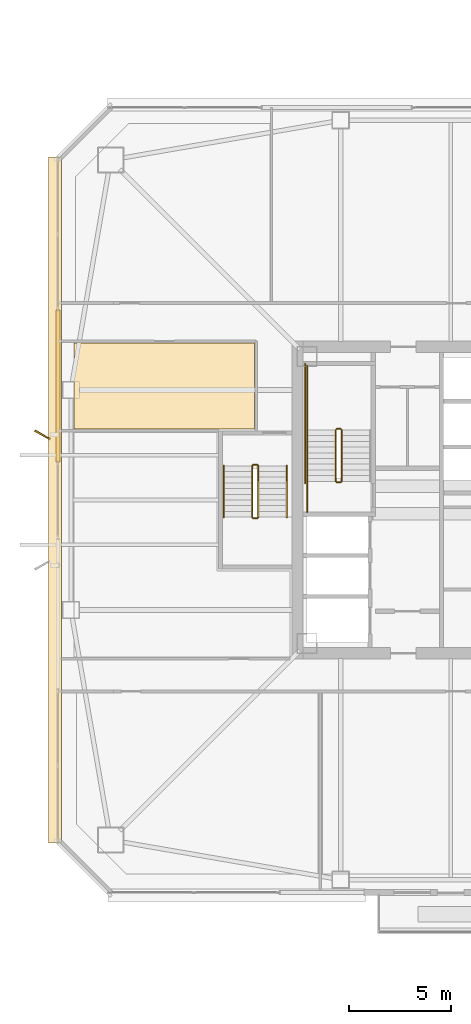
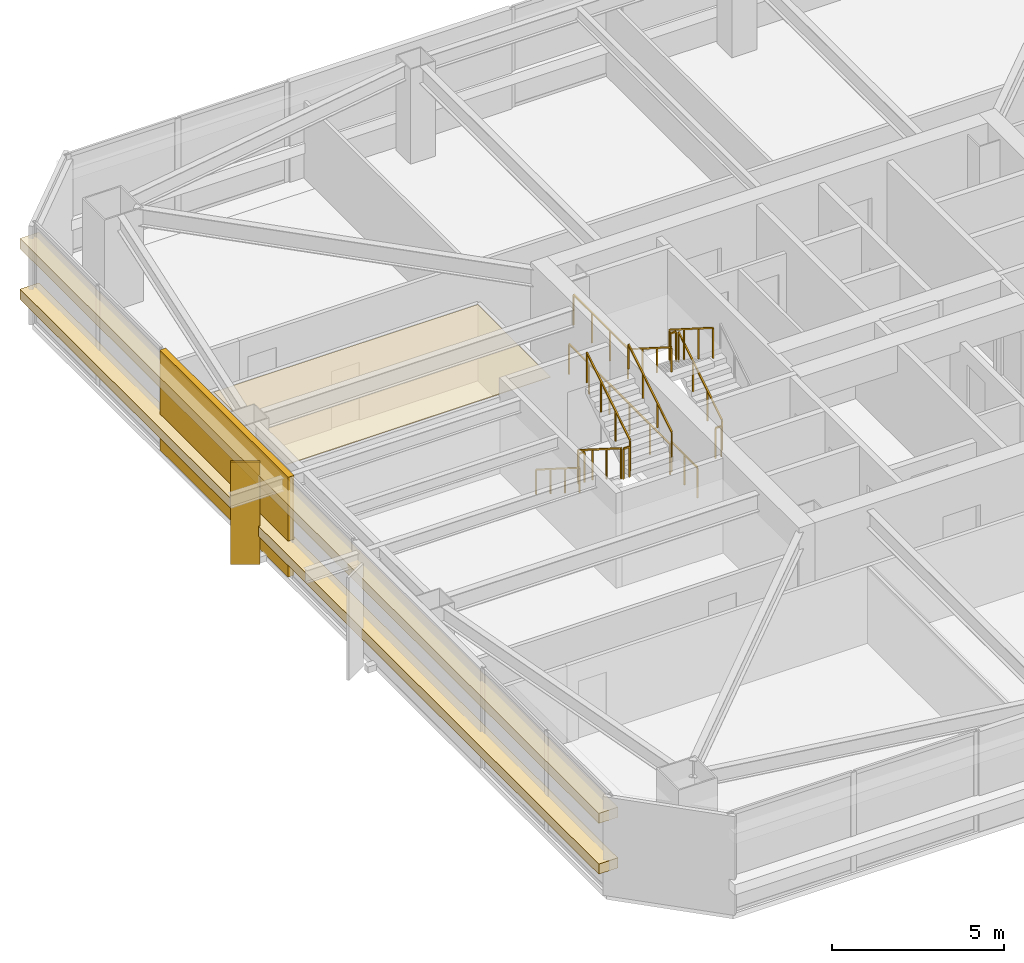
# One storey, part 43 of 48: 14 railings, 4 coverings, 1 shading device.
"""IFC4 building model written with IfcOpenShell, lengths in metres."""

from ifc_helpers import new_model, si_unit, direction, frame, origin, origin_2d, place, context, subcontext, project, spatial, polyline, rectangle, outline, extrude, material, layer, layer_set, type_object, element, save


model = new_model("IFC4")

# Units and contexts
model_context = context("Model", 3, precision=1e-05, world=origin(), true_north=direction((0.0, 1.0)))
body_context = subcontext(model_context, "Body", "Model", "MODEL_VIEW")
ifc_project = project(units=[si_unit("LENGTHUNIT", "METRE"), si_unit("AREAUNIT", "SQUARE_METRE"), si_unit("VOLUMEUNIT", "CUBIC_METRE"), si_unit("PLANEANGLEUNIT", "RADIAN"), si_unit("MASSUNIT", "GRAM", prefix="KILO")], contexts=[model_context])

# Site, building, storey
site_placement = place(None, origin())
site = spatial("IfcSite", under=ifc_project, at=site_placement, CompositionType="ELEMENT")
building_placement = place(site_placement, origin())
building = spatial("IfcBuilding", under=site, at=building_placement, Name="Tashvorn Skyway Center", CompositionType="ELEMENT")
storey_placement = place(building_placement, frame((0.0, 0.0, 125.050048828125)))
storey = spatial("IfcBuildingStorey", under=building, at=storey_placement, Name="L33", CompositionType="ELEMENT", Elevation=125.050048828125)

# Coverings
ifc_material_1 = material(Name="Precast concrete C40/50", Category="concrete")
ifc_layer_1 = layer(ifc_material_1, 0.199951171875)
ifc_layer_set_1 = layer_set([ifc_layer_1], Name="Precast concrete C40/50")
covering_type_1 = type_object("IfcCoveringType", Name="COV-BRACE-CLAD", PredefinedType="CLADDING", material=ifc_layer_set_1)
covering_1_placement = place(storey_placement, frame((22.719970703125, 37.59326171875, 0.0), z_axis=(0.0, 0.0, 1.0), x_axis=(0.0, 1.0, 0.0)))
element("IfcCovering", 1, at=covering_1_placement, inside=storey, type_object=covering_type_1, Name="Tower 1 L33 West Unitised Curtain Wall Mega-Brace Cladding Band 2", PredefinedType="CLADDING", context=body_context, shape_type="SweptSolid", body=[
    extrude(rectangle(XDim=7.457763671875, YDim=0.199951171875, at=origin_2d()), origin(), (0.0, 0.0, 1.0), 3.550048828125),
])
ifc_material_2 = material(Name="Mineral-fibre acoustic ceiling tile on suspended grid")
ifc_layer_2 = layer(ifc_material_2, 0.02001953125)
ifc_layer_set_2 = layer_set([ifc_layer_2], Name="Mineral-fibre acoustic ceiling tile on suspended grid")
covering_type_2 = type_object("IfcCoveringType", Name="COV-CEIL-20", PredefinedType="CEILING", material=ifc_layer_set_2)
covering_2_placement = place(storey_placement, frame((0.0, 0.0, 2.702880859375)))
element("IfcCovering", 2, at=covering_2_placement, inside=storey, type_object=covering_type_2, Name="Tower 1 L33 Security Control Room Acoustic Ceiling", PredefinedType="CEILING", context=body_context, shape_type="SweptSolid", body=[
    extrude(outline(polyline([(32.3701171875, 39.719970703125), (32.3701171875, 35.47998046875), (23.5, 35.47998046875), (23.5, 39.719970703125), (32.3701171875, 39.719970703125)])), origin(), (0.0, 0.0, 1.0), 0.02001953125),
])
ifc_material_3 = material(Name="Perforated ceramic-coated bronze aluminium solar screen", Category="aluminium")
ifc_layer_3 = layer(ifc_material_3, 0.85009765625)
ifc_layer_set_3 = layer_set([ifc_layer_3], Name="Perforated ceramic-coated bronze aluminium solar screen")
covering_type_3 = type_object("IfcCoveringType", Name="COV-SOLAR-BAND", PredefinedType="CLADDING", material=ifc_layer_set_3)
for number, where, z_axis, x_axis, name in (
    (3, (22.580078125, 32.0, 0.919921875), (0.0, 0.0, 1.0), (0.0, 1.0, 0.0), "L33 Perforated Ceramic-Metal Solar Screen Louvre Band West 1"),
    (4, (22.580078125, 32.0, 2.7197265625), (0.0, 0.0, 1.0), (0.0, 1.0, 0.0), "L33 Perforated Ceramic-Metal Solar Screen Louvre Band West 2"),
):
    element("IfcCovering", number, at=place(storey_placement, frame(where, z_axis=z_axis, x_axis=x_axis)), inside=storey, type_object=covering_type_3, Name=name, PredefinedType="CLADDING", context=body_context, shape_type="SweptSolid", body=[
        extrude(rectangle(XDim=33.679931640625, YDim=0.639892578125, at=origin_2d()), origin(), (0.0, 0.0, 1.0), 0.360107421875),
    ])

# Railings
ifc_material_4 = material(Name="Brushed stainless steel 316", Category="steel")
railing_type_1 = type_object("IfcRailingType", Name="RAIL-HAND-920", PredefinedType="HANDRAIL", material=ifc_material_4)
railing_1_placement = place(storey_placement, frame((34.949951171875, 35.43994140625, 1.952392578125)))
element("IfcRailing", 5, at=railing_1_placement, inside=storey, type_object=railing_type_1, Name="L33 ST-T1-1 stair handrail 2", PredefinedType="HANDRAIL", context=body_context, shape_type="SweptSolid", body=[
    extrude(rectangle(XDim=0.048095703125, YDim=0.048095703125, at=origin_2d()), frame((0.0, 0.0, 0.8759765625), z_axis=(0.0, -0.84456994832, 0.535445237532), x_axis=(1.0, 0.0, 0.0)), (0.0, 0.0, 1.0), 2.98388671875),
    extrude(rectangle(XDim=0.0419921875, YDim=0.0419921875, at=origin_2d()), origin(), (0.0, 0.0, 1.0), 0.851806640625),
    extrude(rectangle(XDim=0.0419921875, YDim=0.0419921875, at=origin_2d()), frame((0.0, -0.840087890625, 0.532470703125)), (0.0, 0.0, 1.0), 0.851806640625),
    extrude(rectangle(XDim=0.0419921875, YDim=0.0419921875, at=origin_2d()), frame((0.0, -1.679931640625, 1.065185546875)), (0.0, 0.0, 1.0), 0.851806640625),
    extrude(rectangle(XDim=0.0419921875, YDim=0.0419921875, at=origin_2d()), frame((0.0, -2.52001953125, 1.59765625)), (0.0, 0.0, 1.0), 0.851806640625),
])
railing_2_placement = place(storey_placement, frame((30.85009765625, 33.679931640625, 0.177490234375)))
element("IfcRailing", 6, at=railing_2_placement, inside=storey, type_object=railing_type_1, Name="L33 ST-T1-3 stair handrail 1", PredefinedType="HANDRAIL", context=body_context, shape_type="SweptSolid", body=[
    extrude(rectangle(XDim=0.048095703125, YDim=0.048095703125, at=origin_2d()), frame((0.0, 0.0, 0.8759765625), z_axis=(0.0, -0.84460694969, 0.535386869969), x_axis=(1.0, 0.0, 0.0)), (0.0, 0.0, 1.0), 2.983642578125),
    extrude(rectangle(XDim=0.0419921875, YDim=0.0419921875, at=origin_2d()), origin(), (0.0, 0.0, 1.0), 0.851806640625),
    extrude(rectangle(XDim=0.0419921875, YDim=0.0419921875, at=origin_2d()), frame((0.0, -0.840087890625, 0.532470703125)), (0.0, 0.0, 1.0), 0.851806640625),
    extrude(rectangle(XDim=0.0419921875, YDim=0.0419921875, at=origin_2d()), frame((0.0, -1.679931640625, 1.06494140625)), (0.0, 0.0, 1.0), 0.851806640625),
    extrude(rectangle(XDim=0.0419921875, YDim=0.0419921875, at=origin_2d()), frame((0.0, -2.52001953125, 1.597412109375)), (0.0, 0.0, 1.0), 0.851806640625),
])
railing_3_placement = place(storey_placement, frame((33.949951171875, 31.159912109375, 1.952392578125)))
element("IfcRailing", 7, at=railing_3_placement, inside=storey, type_object=railing_type_1, Name="L33 ST-T1-3 stair handrail 2", PredefinedType="HANDRAIL", context=body_context, shape_type="SweptSolid", body=[
    extrude(rectangle(XDim=0.048095703125, YDim=0.048095703125, at=origin_2d()), frame((0.0, 0.0, 0.8759765625), z_axis=(0.0, 0.84456994832, 0.535445237532), x_axis=(-1.0, 0.0, 0.0)), (0.0, 0.0, 1.0), 2.98388671875),
    extrude(rectangle(XDim=0.0419921875, YDim=0.0419921875, at=origin_2d()), origin(), (0.0, 0.0, 1.0), 0.851806640625),
    extrude(rectangle(XDim=0.0419921875, YDim=0.0419921875, at=origin_2d()), frame((0.0, 0.840087890625, 0.532470703125)), (0.0, 0.0, 1.0), 0.851806640625),
    extrude(rectangle(XDim=0.0419921875, YDim=0.0419921875, at=origin_2d()), frame((0.0, 1.679931640625, 1.065185546875)), (0.0, 0.0, 1.0), 0.851806640625),
    extrude(rectangle(XDim=0.0419921875, YDim=0.0419921875, at=origin_2d()), frame((0.0, 2.52001953125, 1.59765625)), (0.0, 0.0, 1.0), 0.851806640625),
])
ifc_material_5 = material(Name="Painted galvanized steel S355", Category="steel")
railing_type_2 = type_object("IfcRailingType", Name="RAIL-STGUARD-1100", PredefinedType="GUARDRAIL", material=ifc_material_5)
railing_4_placement = place(storey_placement, frame((36.64990234375, 32.919921875, 0.177490234375)))
element("IfcRailing", 8, at=railing_4_placement, inside=storey, type_object=railing_type_2, Name="L33 ST-T1-1 stair guard 1", PredefinedType="GUARDRAIL", context=body_context, shape_type="SweptSolid", body=[
    extrude(rectangle(XDim=0.048095703125, YDim=0.048095703125, at=origin_2d()), frame((0.0, 0.0, 1.076171875), z_axis=(0.0, 0.84460694969, 0.535386869969), x_axis=(-1.0, 0.0, 0.0)), (0.0, 0.0, 1.0), 2.983642578125),
    extrude(rectangle(XDim=0.0419921875, YDim=0.0419921875, at=origin_2d()), origin(), (0.0, 0.0, 1.0), 1.052001953125),
    extrude(rectangle(XDim=0.0419921875, YDim=0.0419921875, at=origin_2d()), frame((0.0, 0.840087890625, 0.532470703125)), (0.0, 0.0, 1.0), 1.052001953125),
    extrude(rectangle(XDim=0.0419921875, YDim=0.0419921875, at=origin_2d()), frame((0.0, 1.679931640625, 1.06494140625)), (0.0, 0.0, 1.0), 1.052001953125),
    extrude(rectangle(XDim=0.0419921875, YDim=0.0419921875, at=origin_2d()), frame((0.0, 2.52001953125, 1.597412109375)), (0.0, 0.0, 1.0), 1.052001953125),
])
railing_5_placement = place(storey_placement, frame((36.60009765625, 35.489990234375, 1.77490234375)))
element("IfcRailing", 9, at=railing_5_placement, inside=storey, type_object=railing_type_2, Name="L33 ST-T1-1 stair guard 2", PredefinedType="GUARDRAIL", context=body_context, shape_type="SweptSolid", body=[
    extrude(rectangle(XDim=0.048095703125, YDim=0.048095703125, at=origin_2d()), frame((0.0, 0.0, 1.076171875), z_axis=(-1.0, 0.0, 0.0), x_axis=(0.0, -1.0, 0.0)), (0.0, 0.0, 1.0), 0.2001953125),
    extrude(rectangle(XDim=0.0419921875, YDim=0.0419921875, at=origin_2d()), origin(), (0.0, 0.0, 1.0), 1.052001953125),
    extrude(rectangle(XDim=0.0419921875, YDim=0.0419921875, at=origin_2d()), frame((-0.2001953125, 0.0, 0.0)), (0.0, 0.0, 1.0), 1.052001953125),
])
railing_6_placement = place(storey_placement, frame((34.949951171875, 35.43994140625, 1.77490234375)))
element("IfcRailing", 10, at=railing_6_placement, inside=storey, type_object=railing_type_2, Name="L33 ST-T1-1 stair guard 3", PredefinedType="GUARDRAIL", context=body_context, shape_type="SweptSolid", body=[
    extrude(rectangle(XDim=0.048095703125, YDim=0.048095703125, at=origin_2d()), frame((0.0, 0.0, 1.076171875), z_axis=(0.0, 1.0, 0.0), x_axis=(-1.0, 0.0, 0.0)), (0.0, 0.0, 1.0), 3.16015625),
    extrude(rectangle(XDim=0.0419921875, YDim=0.0419921875, at=origin_2d()), origin(), (0.0, 0.0, 1.0), 1.052001953125),
    extrude(rectangle(XDim=0.0419921875, YDim=0.0419921875, at=origin_2d()), frame((0.0, 1.053466796875, 0.0)), (0.0, 0.0, 1.0), 1.052001953125),
    extrude(rectangle(XDim=0.0419921875, YDim=0.0419921875, at=origin_2d()), frame((0.0, 2.106689453125, 0.0)), (0.0, 0.0, 1.0), 1.052001953125),
    extrude(rectangle(XDim=0.0419921875, YDim=0.0419921875, at=origin_2d()), frame((0.0, 3.16015625, 0.0)), (0.0, 0.0, 1.0), 1.052001953125),
])
railing_7_placement = place(storey_placement, frame((36.35009765625, 35.43994140625, 1.952392578125)))
element("IfcRailing", 11, at=railing_7_placement, inside=storey, type_object=railing_type_2, Name="L33 ST-T1-1 stair guard 4", PredefinedType="GUARDRAIL", context=body_context, shape_type="SweptSolid", body=[
    extrude(rectangle(XDim=0.048095703125, YDim=0.048095703125, at=origin_2d()), frame((0.0, 0.0, 1.076171875), z_axis=(0.0, -0.84456994832, 0.535445237532), x_axis=(1.0, 0.0, 0.0)), (0.0, 0.0, 1.0), 2.98388671875),
    extrude(rectangle(XDim=0.0419921875, YDim=0.0419921875, at=origin_2d()), origin(), (0.0, 0.0, 1.0), 1.052001953125),
    extrude(rectangle(XDim=0.0419921875, YDim=0.0419921875, at=origin_2d()), frame((0.0, -0.840087890625, 0.532470703125)), (0.0, 0.0, 1.0), 1.052001953125),
    extrude(rectangle(XDim=0.0419921875, YDim=0.0419921875, at=origin_2d()), frame((0.0, -1.679931640625, 1.065185546875)), (0.0, 0.0, 1.0), 1.052001953125),
    extrude(rectangle(XDim=0.0419921875, YDim=0.0419921875, at=origin_2d()), frame((0.0, -2.52001953125, 1.59765625)), (0.0, 0.0, 1.0), 1.052001953125),
])
railing_8_placement = place(storey_placement, frame((36.60009765625, 32.8701171875, 0.0)))
element("IfcRailing", 12, at=railing_8_placement, inside=storey, type_object=railing_type_2, Name="L33 ST-T1-1 stair guard 5", PredefinedType="GUARDRAIL", context=body_context, shape_type="SweptSolid", body=[
    extrude(rectangle(XDim=0.048095703125, YDim=0.048095703125, at=origin_2d()), frame((0.0, 0.0, 1.076171875), z_axis=(-1.0, 0.0, 0.0), x_axis=(0.0, -1.0, 0.0)), (0.0, 0.0, 1.0), 0.2001953125),
    extrude(rectangle(XDim=0.0419921875, YDim=0.0419921875, at=origin_2d()), origin(), (0.0, 0.0, 1.0), 1.052001953125),
    extrude(rectangle(XDim=0.0419921875, YDim=0.0419921875, at=origin_2d()), frame((-0.2001953125, 0.0, 0.0)), (0.0, 0.0, 1.0), 1.052001953125),
])
railing_9_placement = place(storey_placement, frame((34.949951171875, 31.39990234375, 0.0)))
element("IfcRailing", 13, at=railing_9_placement, inside=storey, type_object=railing_type_2, Name="L33 ST-T1-1 stair guard 6", PredefinedType="GUARDRAIL", context=body_context, shape_type="SweptSolid", body=[
    extrude(rectangle(XDim=0.048095703125, YDim=0.048095703125, at=origin_2d()), frame((0.0, 0.0, 1.076171875), z_axis=(0.0, 1.0, 0.0), x_axis=(-1.0, 0.0, 0.0)), (0.0, 0.0, 1.0), 1.52001953125),
    extrude(rectangle(XDim=0.0419921875, YDim=0.0419921875, at=origin_2d()), origin(), (0.0, 0.0, 1.0), 1.052001953125),
    extrude(rectangle(XDim=0.0419921875, YDim=0.0419921875, at=origin_2d()), frame((0.0, 0.760009765625, 0.0)), (0.0, 0.0, 1.0), 1.052001953125),
    extrude(rectangle(XDim=0.0419921875, YDim=0.0419921875, at=origin_2d()), frame((0.0, 1.52001953125, 0.0)), (0.0, 0.0, 1.0), 1.052001953125),
])
railing_10_placement = place(storey_placement, frame((34.85009765625, 32.820068359375, 0.0)))
element("IfcRailing", 14, at=railing_10_placement, inside=storey, type_object=railing_type_2, Name="L33 ST-T1-1 stair guard 7", PredefinedType="GUARDRAIL", context=body_context, shape_type="SweptSolid", body=[
    extrude(rectangle(XDim=0.048095703125, YDim=0.048095703125, at=origin_2d()), frame((0.0, 0.0, 1.076171875), z_axis=(0.0, 1.0, 0.0), x_axis=(-1.0, 0.0, 0.0)), (0.0, 0.0, 1.0), 5.8798828125),
    extrude(rectangle(XDim=0.0419921875, YDim=0.0419921875, at=origin_2d()), origin(), (0.0, 0.0, 1.0), 1.052001953125),
    extrude(rectangle(XDim=0.0419921875, YDim=0.0419921875, at=origin_2d()), frame((0.0, 1.176025390625, 0.0)), (0.0, 0.0, 1.0), 1.052001953125),
    extrude(rectangle(XDim=0.0419921875, YDim=0.0419921875, at=origin_2d()), frame((0.0, 2.35205078125, 0.0)), (0.0, 0.0, 1.0), 1.052001953125),
    extrude(rectangle(XDim=0.0419921875, YDim=0.0419921875, at=origin_2d()), frame((0.0, 3.52783203125, 0.0)), (0.0, 0.0, 1.0), 1.052001953125),
    extrude(rectangle(XDim=0.0419921875, YDim=0.0419921875, at=origin_2d()), frame((0.0, 4.703857421875, 0.0)), (0.0, 0.0, 1.0), 1.052001953125),
    extrude(rectangle(XDim=0.0419921875, YDim=0.0419921875, at=origin_2d()), frame((0.0, 5.8798828125, 0.0)), (0.0, 0.0, 1.0), 1.052001953125),
])
railing_11_placement = place(storey_placement, frame((32.25, 33.679931640625, 0.177490234375)))
element("IfcRailing", 15, at=railing_11_placement, inside=storey, type_object=railing_type_2, Name="L33 ST-T1-3 stair guard 1", PredefinedType="GUARDRAIL", context=body_context, shape_type="SweptSolid", body=[
    extrude(rectangle(XDim=0.048095703125, YDim=0.048095703125, at=origin_2d()), frame((0.0, 0.0, 1.076171875), z_axis=(0.0, -0.84460694969, 0.535386869969), x_axis=(1.0, 0.0, 0.0)), (0.0, 0.0, 1.0), 2.983642578125),
    extrude(rectangle(XDim=0.0419921875, YDim=0.0419921875, at=origin_2d()), origin(), (0.0, 0.0, 1.0), 1.052001953125),
    extrude(rectangle(XDim=0.0419921875, YDim=0.0419921875, at=origin_2d()), frame((0.0, -0.840087890625, 0.532470703125)), (0.0, 0.0, 1.0), 1.052001953125),
    extrude(rectangle(XDim=0.0419921875, YDim=0.0419921875, at=origin_2d()), frame((0.0, -1.679931640625, 1.06494140625)), (0.0, 0.0, 1.0), 1.052001953125),
    extrude(rectangle(XDim=0.0419921875, YDim=0.0419921875, at=origin_2d()), frame((0.0, -2.52001953125, 1.597412109375)), (0.0, 0.0, 1.0), 1.052001953125),
])
railing_12_placement = place(storey_placement, frame((32.300048828125, 31.110107421875, 1.77490234375)))
element("IfcRailing", 16, at=railing_12_placement, inside=storey, type_object=railing_type_2, Name="L33 ST-T1-3 stair guard 2", PredefinedType="GUARDRAIL", context=body_context, shape_type="SweptSolid", body=[
    extrude(rectangle(XDim=0.048095703125, YDim=0.048095703125, at=origin_2d()), frame((0.0, 0.0, 1.076171875), z_axis=(1.0, 0.0, 0.0), x_axis=(0.0, 1.0, 0.0)), (0.0, 0.0, 1.0), 0.199951171875),
    extrude(rectangle(XDim=0.0419921875, YDim=0.0419921875, at=origin_2d()), origin(), (0.0, 0.0, 1.0), 1.052001953125),
    extrude(rectangle(XDim=0.0419921875, YDim=0.0419921875, at=origin_2d()), frame((0.199951171875, 0.0, 0.0)), (0.0, 0.0, 1.0), 1.052001953125),
])
railing_13_placement = place(storey_placement, frame((32.550048828125, 31.159912109375, 1.952392578125)))
element("IfcRailing", 17, at=railing_13_placement, inside=storey, type_object=railing_type_2, Name="L33 ST-T1-3 stair guard 3", PredefinedType="GUARDRAIL", context=body_context, shape_type="SweptSolid", body=[
    extrude(rectangle(XDim=0.048095703125, YDim=0.048095703125, at=origin_2d()), frame((0.0, 0.0, 1.076171875), z_axis=(0.0, 0.84456994832, 0.535445237532), x_axis=(-1.0, 0.0, 0.0)), (0.0, 0.0, 1.0), 2.98388671875),
    extrude(rectangle(XDim=0.0419921875, YDim=0.0419921875, at=origin_2d()), origin(), (0.0, 0.0, 1.0), 1.052001953125),
    extrude(rectangle(XDim=0.0419921875, YDim=0.0419921875, at=origin_2d()), frame((0.0, 0.840087890625, 0.532470703125)), (0.0, 0.0, 1.0), 1.052001953125),
    extrude(rectangle(XDim=0.0419921875, YDim=0.0419921875, at=origin_2d()), frame((0.0, 1.679931640625, 1.065185546875)), (0.0, 0.0, 1.0), 1.052001953125),
    extrude(rectangle(XDim=0.0419921875, YDim=0.0419921875, at=origin_2d()), frame((0.0, 2.52001953125, 1.59765625)), (0.0, 0.0, 1.0), 1.052001953125),
])
railing_14_placement = place(storey_placement, frame((32.300048828125, 33.72998046875, 0.0)))
element("IfcRailing", 18, at=railing_14_placement, inside=storey, type_object=railing_type_2, Name="L33 ST-T1-3 stair guard 4", PredefinedType="GUARDRAIL", context=body_context, shape_type="SweptSolid", body=[
    extrude(rectangle(XDim=0.048095703125, YDim=0.048095703125, at=origin_2d()), frame((0.0, 0.0, 1.076171875), z_axis=(1.0, 0.0, 0.0), x_axis=(0.0, 1.0, 0.0)), (0.0, 0.0, 1.0), 0.199951171875),
    extrude(rectangle(XDim=0.0419921875, YDim=0.0419921875, at=origin_2d()), origin(), (0.0, 0.0, 1.0), 1.052001953125),
    extrude(rectangle(XDim=0.0419921875, YDim=0.0419921875, at=origin_2d()), frame((0.199951171875, 0.0, 0.0)), (0.0, 0.0, 1.0), 1.052001953125),
])

# Shading device
ifc_layer_4 = layer(ifc_material_3, 0.06005859375)
ifc_layer_set_4 = layer_set([ifc_layer_4], Name="Perforated ceramic-coated bronze aluminium solar screen")
shading_device_type = type_object("IfcShadingDeviceType", Name="SHD-SOLAR-850", PredefinedType="USERDEFINED", material=ifc_layer_set_4)
shading_device_placement = place(storey_placement, frame((21.949951171875, 35.199951171875, -0.10009765625), z_axis=(0.0, 0.0, 1.0), x_axis=(0.5, 0.866025403784, 0.0)))
element("IfcShadingDevice", 19, at=shading_device_placement, inside=storey, type_object=shading_device_type, Name="Tower 1 L33 Perforated Ceramic-Metal Solar Screen W2", ObjectType="SCREEN", PredefinedType="USERDEFINED", context=body_context, shape_type="SweptSolid", body=[
    extrude(rectangle(XDim=0.080078125, YDim=0.85009765625, at=origin_2d()), origin(), (0.0, 0.0, 1.0), 3.64990234375),
])

save(model, "model.ifc")
